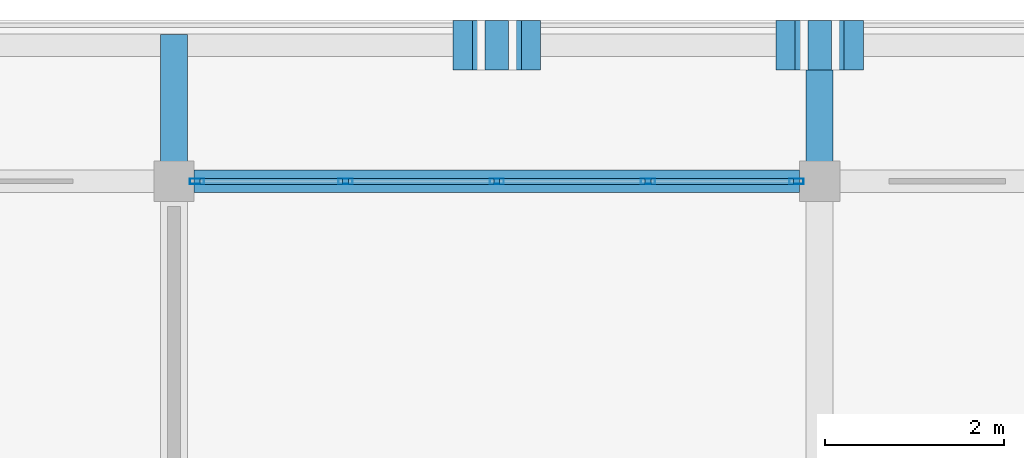
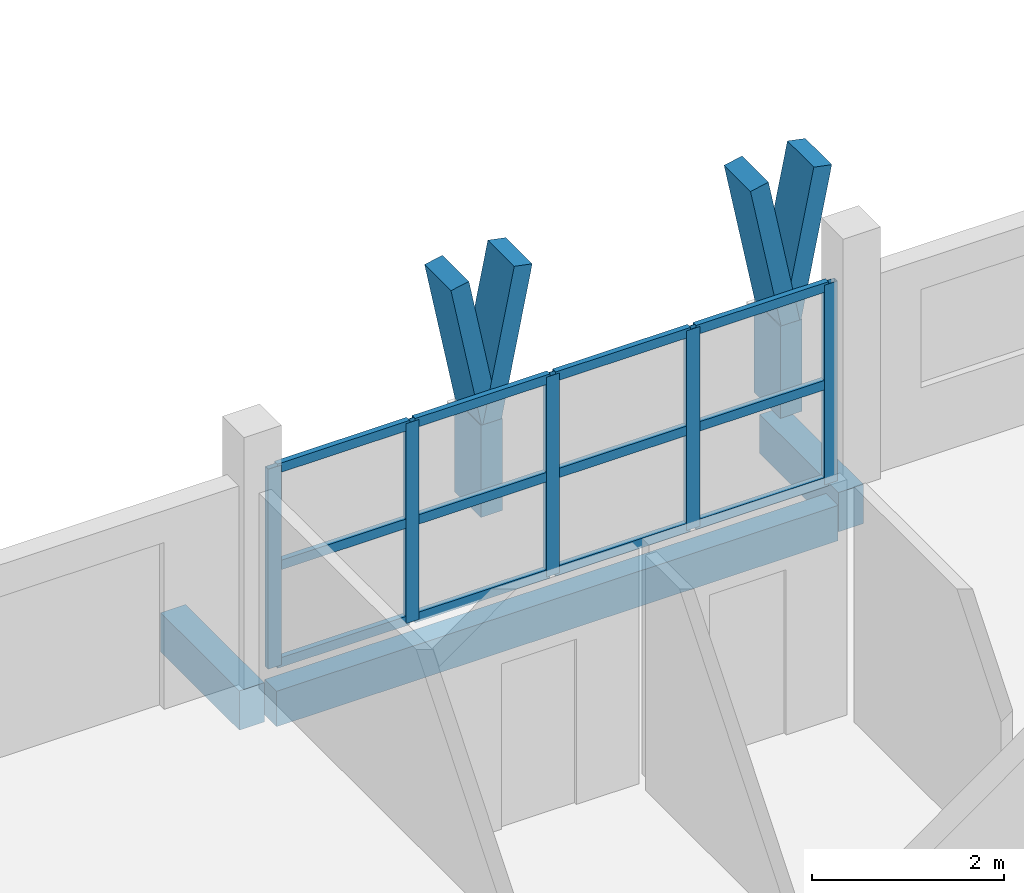
# One storey, part 21 of 45: 23 members, 3 beams, 1 element without a shape of its own.
"""IFC4 building model written with IfcOpenShell, lengths in metres."""

from ifc_helpers import new_model, si_unit, direction, frame, origin, origin_2d, place, context, subcontext, project, spatial, rectangle, hollow_rectangle, extrude, material, material_profile, profile_set, type_object, element, aggregate, save


model = new_model("IFC4")

# Units and contexts
model_context = context("Model", 3, precision=1e-05, world=origin(), true_north=direction((0.0, 1.0)))
body_context = subcontext(model_context, "Body", "Model", "MODEL_VIEW")
ifc_project = project(units=[si_unit("LENGTHUNIT", "METRE"), si_unit("AREAUNIT", "SQUARE_METRE"), si_unit("VOLUMEUNIT", "CUBIC_METRE"), si_unit("PLANEANGLEUNIT", "RADIAN"), si_unit("MASSUNIT", "GRAM", prefix="KILO")], contexts=[model_context])

# Site, building, storey
site_placement = place(None, origin())
site = spatial("IfcSite", under=ifc_project, at=site_placement, CompositionType="ELEMENT")
building_placement = place(site_placement, origin())
building = spatial("IfcBuilding", under=site, at=building_placement, Name="Suanplinth Sawtooth Commons", CompositionType="ELEMENT")
storey_placement = place(building_placement, frame((0.0, 0.0, 38.0)))
storey = spatial("IfcBuildingStorey", under=building, at=storey_placement, Name="L11", CompositionType="ELEMENT", Elevation=38.0)

# Beams
ifc_material_1 = material(Name="Precast concrete C40/50", Category="concrete")
ifc_material_profile_1 = material_profile(ifc_material_1, rectangle(XDim=0.300048828125, YDim=0.5, at=origin_2d()), Name="PC-BM 300x500")
ifc_profile_set_1 = profile_set([ifc_material_profile_1], Name="Precast concrete C40/50")
beam_type_1 = type_object("IfcBeamType", Name="B-07", PredefinedType="BEAM", material=ifc_profile_set_1)
for number, where, z_axis, x_axis, name in (
    (1, (165.60009765625, 122.39990234375, -0.429931640625), (0.0, 1.0, 0.0), (-1.0, 0.0, 0.0), "Balcony Outrigger L11-B-N-23"),
    (2, (172.800048828125, 122.39990234375, -0.429931640625), (0.0, 1.0, 0.0), (-1.0, 0.0, 0.0), "Balcony Outrigger L11-B-N-24"),
):
    element("IfcBeam", number, at=place(storey_placement, frame(where, z_axis=z_axis, x_axis=x_axis)), inside=storey, type_object=beam_type_1, Name=name, PredefinedType="BEAM", context=body_context, shape_type="SweptSolid", body=[
        extrude(rectangle(XDim=0.300048828125, YDim=0.5, at=origin_2d()), origin(), (0.0, 0.0, 1.0), 1.64013671875),
    ])
ifc_material_profile_2 = material_profile(ifc_material_1, rectangle(XDim=0.25, YDim=0.449951171875, at=origin_2d()), Name="PC-SP 250x450")
ifc_profile_set_2 = profile_set([ifc_material_profile_2], Name="Precast concrete C40/50")
beam_type_2 = type_object("IfcBeamType", Name="B-09", PredefinedType="SPANDREL", material=ifc_profile_set_2)
beam_placement = place(storey_placement, frame((165.824951171875, 122.39990234375, -0.465087890625), z_axis=(1.0, 0.0, 0.0), x_axis=(0.0, 1.0, 0.0)))
element("IfcBeam", 3, at=beam_placement, inside=storey, type_object=beam_type_2, Name="BMX-L11-B-23-17", PredefinedType="SPANDREL", context=body_context, shape_type="SweptSolid", body=[
    extrude(rectangle(XDim=0.25, YDim=0.449951171875, at=origin_2d()), origin(), (0.0, 0.0, 1.0), 6.75),
])

# Members
ifc_material_2 = material(Name="Pigmented precast concrete C40/50", Category="concrete")
ifc_material_profile_3 = material_profile(ifc_material_2, rectangle(XDim=0.260009765625, YDim=0.550048828125, at=origin_2d()), Name="PC-FIN 260x550")
ifc_profile_set_3 = profile_set([ifc_material_profile_3], Name="Pigmented precast concrete C40/50")
member_type_1 = type_object("IfcMemberType", Name="M-09", PredefinedType="USERDEFINED", material=ifc_profile_set_3)
for number, where, z_axis, x_axis, name in (
    (4, (169.199951171875, 123.919921875, 0.0), (0.0, 0.0, 1.0), (1.0, 0.0, 0.0), "Y-Blade Stem L11-B-N-05"),
    (5, (172.800048828125, 123.919921875, 0.0), (0.0, 0.0, 1.0), (1.0, 0.0, 0.0), "Y-Blade Stem L11-B-N-06"),
):
    element("IfcMember", number, at=place(storey_placement, frame(where, z_axis=z_axis, x_axis=x_axis)), inside=storey, type_object=member_type_1, Name=name, ObjectType="SHADING FIN", PredefinedType="USERDEFINED", context=body_context, shape_type="SweptSolid", body=[
        extrude(rectangle(XDim=0.260009765625, YDim=0.550048828125, at=origin_2d()), origin(), (0.0, 0.0, 1.0), 1.169921875),
    ])
ifc_material_profile_4 = material_profile(ifc_material_2, rectangle(XDim=0.219970703125, YDim=0.550048828125, at=origin_2d()), Name="PC-FIN 220x550")
ifc_profile_set_4 = profile_set([ifc_material_profile_4], Name="Pigmented precast concrete C40/50")
member_type_2 = type_object("IfcMemberType", Name="M-10", PredefinedType="USERDEFINED", material=ifc_profile_set_4)
member_1_placement = place(storey_placement, frame((169.199951171875, 123.919921875, 1.1298828125), z_axis=(-0.196285728346, 0.0, 0.980546741796), x_axis=(0.980546741796, 0.0, 0.196285728346)))
element("IfcMember", 6, at=member_1_placement, inside=storey, type_object=member_type_2, Name="Y-Blade Arm L L11-B-N-05", ObjectType="SHADING FIN", PredefinedType="USERDEFINED", context=body_context, shape_type="SweptSolid", body=[
    extrude(rectangle(XDim=0.219970703125, YDim=0.550048828125, at=origin_2d()), origin(), (0.0, 0.0, 1.0), 1.937744140625),
])
for number, where, z_axis, x_axis, name in (
    (7, (169.199951171875, 123.919921875, 1.1298828125), (0.196406855569, 0.0, 0.980522486782), (-0.980522486782, 0.0, 0.196406855569), "Y-Blade Arm R L11-B-N-05"),
    (8, (172.800048828125, 123.919921875, 1.1298828125), (-0.196406855569, 0.0, 0.980522486782), (0.980522486782, 0.0, 0.196406855569), "Y-Blade Arm L L11-B-N-06"),
):
    element("IfcMember", number, at=place(storey_placement, frame(where, z_axis=z_axis, x_axis=x_axis)), inside=storey, type_object=member_type_2, Name=name, ObjectType="SHADING FIN", PredefinedType="USERDEFINED", context=body_context, shape_type="SweptSolid", body=[
        extrude(rectangle(XDim=0.219970703125, YDim=0.550048828125, at=origin_2d()), origin(), (0.0, 0.0, 1.0), 1.93798828125),
    ])
member_2_placement = place(storey_placement, frame((172.800048828125, 123.919921875, 1.1298828125), z_axis=(0.196285728346, 0.0, 0.980546741796), x_axis=(-0.980546741796, 0.0, 0.196285728346)))
element("IfcMember", 9, at=member_2_placement, inside=storey, type_object=member_type_2, Name="Y-Blade Arm R L11-B-N-06", ObjectType="SHADING FIN", PredefinedType="USERDEFINED", context=body_context, shape_type="SweptSolid", body=[
    extrude(rectangle(XDim=0.219970703125, YDim=0.550048828125, at=origin_2d()), origin(), (0.0, 0.0, 1.0), 1.937744140625),
])

# Curtain wall, members
ifc_material_3 = material(Name="Anodized aluminium and low-E glazing", Category="aluminium")
curtain_wall_type = type_object("IfcCurtainWallType", Name="CW-06", PredefinedType="USERDEFINED", material=ifc_material_3)
curtain_wall_placement = place(storey_placement, origin())
curtain_wall = element("IfcCurtainWall", 10, at=curtain_wall_placement, inside=storey, type_object=curtain_wall_type, Name="Curtain Wall CW-L11-B-LOUNGE-23", ObjectType="CURTAIN WALL", PredefinedType="USERDEFINED")
ifc_material_4 = material(Name="Anodized aluminium 6063-T6", Category="aluminium")
ifc_material_profile_5 = material_profile(ifc_material_4, hollow_rectangle(XDim=0.06494140625, YDim=0.159912109375, WallThickness=0.00390625, at=origin_2d()), Name="ALU-MUL 65x160")
ifc_profile_set_5 = profile_set([ifc_material_profile_5], Name="Anodized aluminium 6063-T6")
member_type_3 = type_object("IfcMemberType", Name="M-13", PredefinedType="MULLION", material=ifc_profile_set_5)
member_3_placement = place(storey_placement, frame((165.857421875, 122.39990234375, 0.0), z_axis=(0.0, 0.0, 1.0), x_axis=(0.0, 1.0, 0.0)))
member_3 = element("IfcMember", 11, at=member_3_placement, type_object=member_type_3, Name="CW-06 mullion 1", PredefinedType="MULLION", context=body_context, shape_type="SweptSolid", body=[
    extrude(hollow_rectangle(XDim=0.06494140625, YDim=0.159912109375, WallThickness=0.00390625, at=origin_2d()), origin(), (0.0, 0.0, 1.0), 2.5400390625),
])
member_4_placement = place(storey_placement, frame((167.512451171875, 122.39990234375, 0.0), z_axis=(0.0, 0.0, 1.0), x_axis=(0.0, 1.0, 0.0)))
member_4 = element("IfcMember", 12, at=member_4_placement, type_object=member_type_3, Name="CW-06 mullion 2", PredefinedType="MULLION", context=body_context, shape_type="SweptSolid", body=[
    extrude(hollow_rectangle(XDim=0.06494140625, YDim=0.159912109375, WallThickness=0.00390625, at=origin_2d()), origin(), (0.0, 0.0, 1.0), 2.5400390625),
])
member_5_placement = place(storey_placement, frame((169.199951171875, 122.39990234375, 0.0), z_axis=(0.0, 0.0, 1.0), x_axis=(0.0, 1.0, 0.0)))
member_5 = element("IfcMember", 13, at=member_5_placement, type_object=member_type_3, Name="CW-06 mullion 3", PredefinedType="MULLION", context=body_context, shape_type="SweptSolid", body=[
    extrude(hollow_rectangle(XDim=0.06494140625, YDim=0.159912109375, WallThickness=0.00390625, at=origin_2d()), origin(), (0.0, 0.0, 1.0), 2.5400390625),
])
member_6_placement = place(storey_placement, frame((170.887451171875, 122.39990234375, 0.0), z_axis=(0.0, 0.0, 1.0), x_axis=(0.0, 1.0, 0.0)))
member_6 = element("IfcMember", 14, at=member_6_placement, type_object=member_type_3, Name="CW-06 mullion 4", PredefinedType="MULLION", context=body_context, shape_type="SweptSolid", body=[
    extrude(hollow_rectangle(XDim=0.06494140625, YDim=0.159912109375, WallThickness=0.00390625, at=origin_2d()), origin(), (0.0, 0.0, 1.0), 2.5400390625),
])
member_7_placement = place(storey_placement, frame((172.54248046875, 122.39990234375, 0.0), z_axis=(0.0, 0.0, 1.0), x_axis=(0.0, 1.0, 0.0)))
member_7 = element("IfcMember", 15, at=member_7_placement, type_object=member_type_3, Name="CW-06 mullion 5", PredefinedType="MULLION", context=body_context, shape_type="SweptSolid", body=[
    extrude(hollow_rectangle(XDim=0.06494140625, YDim=0.159912109375, WallThickness=0.00390625, at=origin_2d()), origin(), (0.0, 0.0, 1.0), 2.5400390625),
])
ifc_material_profile_6 = material_profile(ifc_material_4, hollow_rectangle(XDim=0.06494140625, YDim=0.1201171875, WallThickness=0.00390625, at=origin_2d()), Name="ALU-TRN 65x120")
ifc_profile_set_6 = profile_set([ifc_material_profile_6], Name="Anodized aluminium 6063-T6")
member_type_4 = type_object("IfcMemberType", Name="M-15", PredefinedType="USERDEFINED", material=ifc_profile_set_6)
member_8_placement = place(storey_placement, frame((165.889892578125, 122.39990234375, 0.032470703125), z_axis=(1.0, 0.0, 0.0), x_axis=(0.0, 1.0, 0.0)))
member_8 = element("IfcMember", 16, at=member_8_placement, type_object=member_type_4, Name="CW-06 transom 1.1", ObjectType="TRANSOM", PredefinedType="USERDEFINED", context=body_context, shape_type="SweptSolid", body=[
    extrude(hollow_rectangle(XDim=0.06494140625, YDim=0.1201171875, WallThickness=0.00390625, at=origin_2d()), origin(), (0.0, 0.0, 1.0), 1.590087890625),
])
member_9_placement = place(storey_placement, frame((165.889892578125, 122.39990234375, 1.27001953125), z_axis=(1.0, 0.0, 0.0), x_axis=(0.0, 1.0, 0.0)))
member_9 = element("IfcMember", 17, at=member_9_placement, type_object=member_type_4, Name="CW-06 transom 1.2", ObjectType="TRANSOM", PredefinedType="USERDEFINED", context=body_context, shape_type="SweptSolid", body=[
    extrude(hollow_rectangle(XDim=0.06494140625, YDim=0.1201171875, WallThickness=0.00390625, at=origin_2d()), origin(), (0.0, 0.0, 1.0), 1.590087890625),
])
member_10_placement = place(storey_placement, frame((165.889892578125, 122.39990234375, 2.507568359375), z_axis=(1.0, 0.0, 0.0), x_axis=(0.0, 1.0, 0.0)))
member_10 = element("IfcMember", 18, at=member_10_placement, type_object=member_type_4, Name="CW-06 transom 1.3", ObjectType="TRANSOM", PredefinedType="USERDEFINED", context=body_context, shape_type="SweptSolid", body=[
    extrude(hollow_rectangle(XDim=0.06494140625, YDim=0.1201171875, WallThickness=0.00390625, at=origin_2d()), origin(), (0.0, 0.0, 1.0), 1.590087890625),
])
member_11_placement = place(storey_placement, frame((167.544921875, 122.39990234375, 0.032470703125), z_axis=(1.0, 0.0, 0.0), x_axis=(0.0, 1.0, 0.0)))
member_11 = element("IfcMember", 19, at=member_11_placement, type_object=member_type_4, Name="CW-06 transom 2.1", ObjectType="TRANSOM", PredefinedType="USERDEFINED", context=body_context, shape_type="SweptSolid", body=[
    extrude(hollow_rectangle(XDim=0.06494140625, YDim=0.1201171875, WallThickness=0.00390625, at=origin_2d()), origin(), (0.0, 0.0, 1.0), 1.62255859375),
])
member_12_placement = place(storey_placement, frame((167.544921875, 122.39990234375, 1.27001953125), z_axis=(1.0, 0.0, 0.0), x_axis=(0.0, 1.0, 0.0)))
member_12 = element("IfcMember", 20, at=member_12_placement, type_object=member_type_4, Name="CW-06 transom 2.2", ObjectType="TRANSOM", PredefinedType="USERDEFINED", context=body_context, shape_type="SweptSolid", body=[
    extrude(hollow_rectangle(XDim=0.06494140625, YDim=0.1201171875, WallThickness=0.00390625, at=origin_2d()), origin(), (0.0, 0.0, 1.0), 1.62255859375),
])
member_13_placement = place(storey_placement, frame((167.544921875, 122.39990234375, 2.507568359375), z_axis=(1.0, 0.0, 0.0), x_axis=(0.0, 1.0, 0.0)))
member_13 = element("IfcMember", 21, at=member_13_placement, type_object=member_type_4, Name="CW-06 transom 2.3", ObjectType="TRANSOM", PredefinedType="USERDEFINED", context=body_context, shape_type="SweptSolid", body=[
    extrude(hollow_rectangle(XDim=0.06494140625, YDim=0.1201171875, WallThickness=0.00390625, at=origin_2d()), origin(), (0.0, 0.0, 1.0), 1.62255859375),
])
member_14_placement = place(storey_placement, frame((169.232421875, 122.39990234375, 0.032470703125), z_axis=(1.0, 0.0, 0.0), x_axis=(0.0, 1.0, 0.0)))
member_14 = element("IfcMember", 22, at=member_14_placement, type_object=member_type_4, Name="CW-06 transom 3.1", ObjectType="TRANSOM", PredefinedType="USERDEFINED", context=body_context, shape_type="SweptSolid", body=[
    extrude(hollow_rectangle(XDim=0.06494140625, YDim=0.1201171875, WallThickness=0.00390625, at=origin_2d()), origin(), (0.0, 0.0, 1.0), 1.62255859375),
])
member_15_placement = place(storey_placement, frame((169.232421875, 122.39990234375, 1.27001953125), z_axis=(1.0, 0.0, 0.0), x_axis=(0.0, 1.0, 0.0)))
member_15 = element("IfcMember", 23, at=member_15_placement, type_object=member_type_4, Name="CW-06 transom 3.2", ObjectType="TRANSOM", PredefinedType="USERDEFINED", context=body_context, shape_type="SweptSolid", body=[
    extrude(hollow_rectangle(XDim=0.06494140625, YDim=0.1201171875, WallThickness=0.00390625, at=origin_2d()), origin(), (0.0, 0.0, 1.0), 1.62255859375),
])
member_16_placement = place(storey_placement, frame((169.232421875, 122.39990234375, 2.507568359375), z_axis=(1.0, 0.0, 0.0), x_axis=(0.0, 1.0, 0.0)))
member_16 = element("IfcMember", 24, at=member_16_placement, type_object=member_type_4, Name="CW-06 transom 3.3", ObjectType="TRANSOM", PredefinedType="USERDEFINED", context=body_context, shape_type="SweptSolid", body=[
    extrude(hollow_rectangle(XDim=0.06494140625, YDim=0.1201171875, WallThickness=0.00390625, at=origin_2d()), origin(), (0.0, 0.0, 1.0), 1.62255859375),
])
member_17_placement = place(storey_placement, frame((170.919921875, 122.39990234375, 0.032470703125), z_axis=(1.0, 0.0, 0.0), x_axis=(0.0, 1.0, 0.0)))
member_17 = element("IfcMember", 25, at=member_17_placement, type_object=member_type_4, Name="CW-06 transom 4.1", ObjectType="TRANSOM", PredefinedType="USERDEFINED", context=body_context, shape_type="SweptSolid", body=[
    extrude(hollow_rectangle(XDim=0.06494140625, YDim=0.1201171875, WallThickness=0.00390625, at=origin_2d()), origin(), (0.0, 0.0, 1.0), 1.590087890625),
])
member_18_placement = place(storey_placement, frame((170.919921875, 122.39990234375, 1.27001953125), z_axis=(1.0, 0.0, 0.0), x_axis=(0.0, 1.0, 0.0)))
member_18 = element("IfcMember", 26, at=member_18_placement, type_object=member_type_4, Name="CW-06 transom 4.2", ObjectType="TRANSOM", PredefinedType="USERDEFINED", context=body_context, shape_type="SweptSolid", body=[
    extrude(hollow_rectangle(XDim=0.06494140625, YDim=0.1201171875, WallThickness=0.00390625, at=origin_2d()), origin(), (0.0, 0.0, 1.0), 1.590087890625),
])
member_19_placement = place(storey_placement, frame((170.919921875, 122.39990234375, 2.507568359375), z_axis=(1.0, 0.0, 0.0), x_axis=(0.0, 1.0, 0.0)))
member_19 = element("IfcMember", 27, at=member_19_placement, type_object=member_type_4, Name="CW-06 transom 4.3", ObjectType="TRANSOM", PredefinedType="USERDEFINED", context=body_context, shape_type="SweptSolid", body=[
    extrude(hollow_rectangle(XDim=0.06494140625, YDim=0.1201171875, WallThickness=0.00390625, at=origin_2d()), origin(), (0.0, 0.0, 1.0), 1.590087890625),
])
aggregate(curtain_wall, [member_3, member_4, member_5, member_6, member_7, member_8, member_9, member_10, member_11, member_12, member_13, member_14, member_15, member_16, member_17, member_18, member_19])

save(model, "model.ifc")
